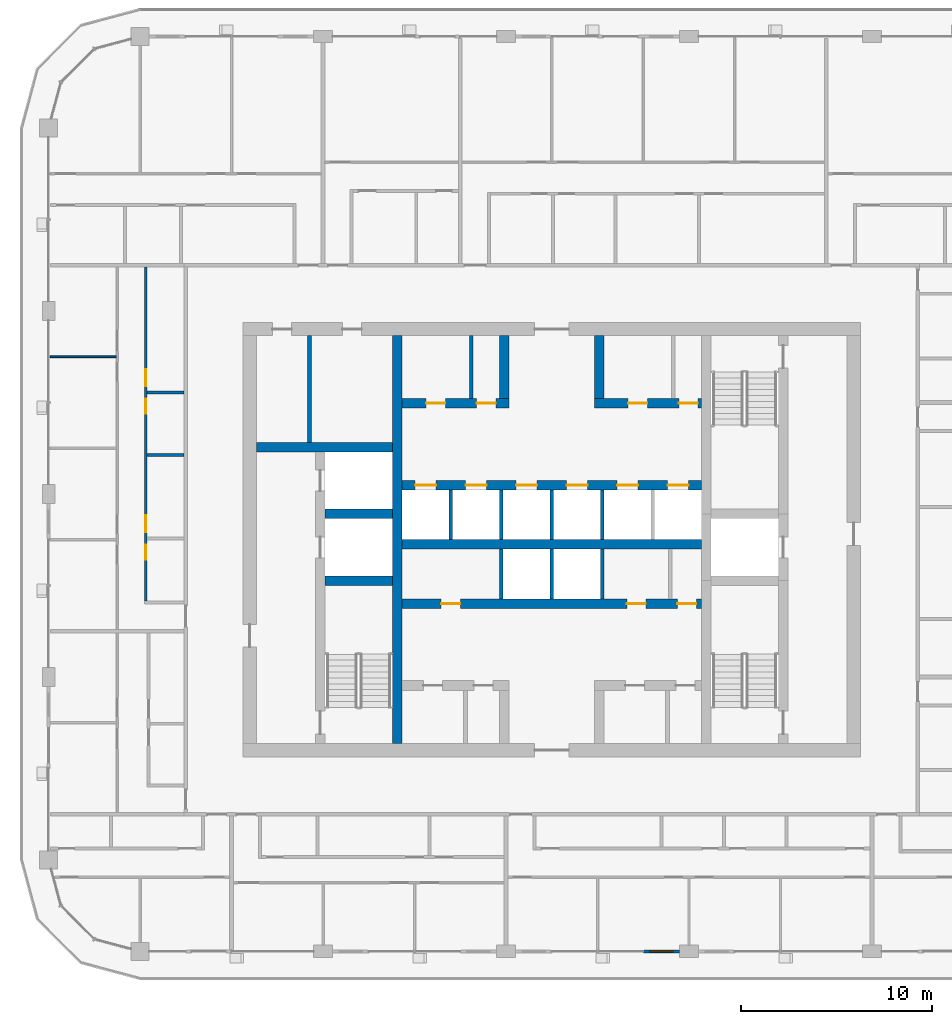
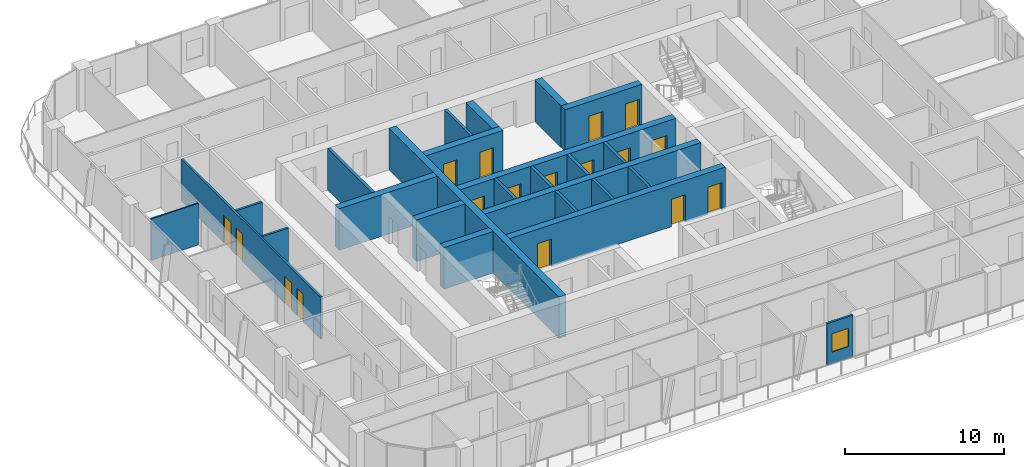
# One storey, part 11 of 23: 25 walls, 17 doors, 1 window, 18 openings.
"""IFC4 building model written with IfcOpenShell, lengths in metres."""

from ifc_helpers import new_model, si_unit, direction, frame, frame_2d, origin, place, context, subcontext, project, spatial, rectangle, extrude, material, layer, layer_set, type_object, element, fill, save


model = new_model("IFC4")

# Units and contexts
model_context = context("Model", 3, precision=1e-05, world=origin(), true_north=direction((0.0, 1.0)))
body_context = subcontext(model_context, "Body", "Model", "MODEL_VIEW")
ifc_project = project(units=[si_unit("LENGTHUNIT", "METRE"), si_unit("AREAUNIT", "SQUARE_METRE"), si_unit("VOLUMEUNIT", "CUBIC_METRE"), si_unit("PLANEANGLEUNIT", "RADIAN"), si_unit("MASSUNIT", "GRAM", prefix="KILO")], contexts=[model_context])

# Site, building, storey
site_placement = place(None, origin())
site = spatial("IfcSite", under=ifc_project, at=site_placement, CompositionType="ELEMENT")
building_placement = place(site_placement, origin())
building = spatial("IfcBuilding", under=site, at=building_placement, Name="Madar Terraces", CompositionType="ELEMENT")
storey_placement = place(building_placement, frame((0.0, 0.0, 226.300048828125)))
storey = spatial("IfcBuildingStorey", under=building, at=storey_placement, Name="L59", CompositionType="ELEMENT", Elevation=226.300048828125)

# Walls
ifc_material_1 = material(Name="Concrete C60/75", Category="concrete")
ifc_layer_1 = layer(ifc_material_1, 0.5)
ifc_layer_set_1 = layer_set([ifc_layer_1], Name="Concrete C60/75 (CIW4 RC wall 500)")
wall_type_1 = type_object("IfcWallType", Name="CIW4 RC wall 500", PredefinedType="SHEAR", material=ifc_layer_set_1)
wall_1_placement = place(storey_placement, frame((23.10009765625, 15.699951171875, 0.0), z_axis=(0.0, 0.0, 1.0), x_axis=(0.0, 1.0, 0.0)))
element("IfcWall", 1, at=wall_1_placement, inside=storey, type_object=wall_type_1, Name="CORE SHAFT WALL", PredefinedType="SHEAR", context=body_context, shape_type="SweptSolid", body=[
    extrude(rectangle(XDim=21.400146484375, YDim=0.5, at=frame_2d((10.7001953125, 0.0))), origin(), (0.0, 0.0, 1.0), 3.199951171875),
])
for number, where, z_axis, x_axis, name in (
    (2, (19.300048828125, 24.25, 0.0), (0.0, 0.0, 1.0), (1.0, 0.0, 0.0), "CORE SHAFT WALL"),
    (3, (19.300048828125, 27.75, 0.0), (0.0, 0.0, 1.0), (1.0, 0.0, 0.0), "CORE SHAFT WALL"),
):
    element("IfcWall", number, at=place(storey_placement, frame(where, z_axis=z_axis, x_axis=x_axis)), inside=storey, type_object=wall_type_1, Name=name, PredefinedType="SHEAR", context=body_context, shape_type="SweptSolid", body=[
        extrude(rectangle(XDim=3.550048828125, YDim=0.5, at=frame_2d((1.77490234375, 0.0))), origin(), (0.0, 0.0, 1.0), 3.199951171875),
    ])
wall_2_placement = place(storey_placement, frame((15.699951171875, 31.25, 0.0), z_axis=(0.0, 0.0, 1.0), x_axis=(1.0, 0.0, 0.0)))
element("IfcWall", 4, at=wall_2_placement, inside=storey, type_object=wall_type_1, Name="CORE SHAFT WALL", PredefinedType="SHEAR", context=body_context, shape_type="SweptSolid", body=[
    extrude(rectangle(XDim=7.150146484375, YDim=0.5, at=frame_2d((3.5751953125, 0.0))), origin(), (0.0, 0.0, 1.0), 3.199951171875),
])

# Wall, openings, doors
wall_3_placement = place(storey_placement, frame((23.35009765625, 23.050048828125, 0.0), z_axis=(0.0, 0.0, 1.0), x_axis=(1.0, 0.0, 0.0)))
wall_3 = element("IfcWall", 5, at=wall_3_placement, inside=storey, type_object=wall_type_1, Name="CORE SHAFT WALL", PredefinedType="SHEAR", context=body_context, shape_type="SweptSolid", body=[
    extrude(rectangle(XDim=15.699951171875, YDim=0.5, at=frame_2d((7.85009765625, 0.0))), origin(), (0.0, 0.0, 1.0), 3.199951171875),
])
opening_1_placement = place(wall_3_placement, frame((2.050048828125, 0.0, 0.0)))
opening_1 = element("IfcOpeningElement", 6, at=opening_1_placement, cuts=wall_3, Name="Opening KD2", PredefinedType="OPENING", context=body_context, shape_type="SweptSolid", body=[
    extrude(rectangle(XDim=1.0, YDim=2.10009765625, at=frame_2d((0.5, 1.050048828125))), frame((0.0, 0.260009765625, 0.0), z_axis=(0.0, -1.0, 0.0), x_axis=(1.0, 0.0, 0.0)), (0.0, 0.0, 1.0), 0.52001953125),
])
opening_2_placement = place(wall_3_placement, frame((11.783935546875, 0.0, 0.0)))
opening_2 = element("IfcOpeningElement", 7, at=opening_2_placement, cuts=wall_3, Name="Opening KD2", PredefinedType="OPENING", context=body_context, shape_type="SweptSolid", body=[
    extrude(rectangle(XDim=1.0, YDim=2.10009765625, at=frame_2d((0.5, 1.050048828125))), frame((0.0, 0.260009765625, 0.0), z_axis=(0.0, -1.0, 0.0), x_axis=(1.0, 0.0, 0.0)), (0.0, 0.0, 1.0), 0.52001953125),
])
opening_3_placement = place(wall_3_placement, frame((14.43408203125, 0.0, 0.0)))
opening_3 = element("IfcOpeningElement", 8, at=opening_3_placement, cuts=wall_3, Name="Opening KD2", PredefinedType="OPENING", context=body_context, shape_type="SweptSolid", body=[
    extrude(rectangle(XDim=1.0, YDim=2.10009765625, at=frame_2d((0.5, 1.050048828125))), frame((0.0, 0.260009765625, 0.0), z_axis=(0.0, -1.0, 0.0), x_axis=(1.0, 0.0, 0.0)), (0.0, 0.0, 1.0), 0.52001953125),
])
ifc_material_2 = material(Name="Steel door leaf", Category="steel")
door_type_1 = type_object("IfcDoorType", Name="Service room door 1000 x 2100", OperationType="NOTDEFINED", PredefinedType="DOOR", material=ifc_material_2)
door_1_placement = place(opening_1_placement, frame((1.0, 0.0, 0.0), z_axis=(0.0, 0.0, 1.0), x_axis=(-1.0, 0.0, 0.0)))
door_1 = element("IfcDoor", 9, at=door_1_placement, inside=storey, type_object=door_type_1, Name="SERVICE ROOM DOOR", OperationType="SINGLE_SWING_RIGHT", OverallHeight=2.10009765625, OverallWidth=1.0, PredefinedType="DOOR", context=body_context, shape_type="SweptSolid", body=[
    extrude(rectangle(XDim=1.0, YDim=2.10009765625, at=frame_2d((0.5, 1.050048828125))), frame((0.0, 0.02490234375, 0.0), z_axis=(0.0, -1.0, 0.0), x_axis=(1.0, 0.0, 0.0)), (0.0, 0.0, 1.0), 0.050048828125),
])
fill(opening_1, door_1)
door_2_placement = place(opening_2_placement, frame((1.0, 0.0, 0.0), z_axis=(0.0, 0.0, 1.0), x_axis=(-1.0, 0.0, 0.0)))
door_2 = element("IfcDoor", 10, at=door_2_placement, inside=storey, type_object=door_type_1, Name="SERVICE ROOM DOOR", OperationType="SINGLE_SWING_LEFT", OverallHeight=2.10009765625, OverallWidth=1.0, PredefinedType="DOOR", context=body_context, shape_type="SweptSolid", body=[
    extrude(rectangle(XDim=1.0, YDim=2.10009765625, at=frame_2d((0.5, 1.050048828125))), frame((0.0, 0.02490234375, 0.0), z_axis=(0.0, -1.0, 0.0), x_axis=(1.0, 0.0, 0.0)), (0.0, 0.0, 1.0), 0.050048828125),
])
fill(opening_2, door_2)
door_3_placement = place(opening_3_placement, frame((1.0, 0.0, 0.0), z_axis=(0.0, 0.0, 1.0), x_axis=(-1.0, 0.0, 0.0)))
door_3 = element("IfcDoor", 11, at=door_3_placement, inside=storey, type_object=door_type_1, Name="SERVICE ROOM DOOR", OperationType="SINGLE_SWING_RIGHT", OverallHeight=2.10009765625, OverallWidth=1.0, PredefinedType="DOOR", context=body_context, shape_type="SweptSolid", body=[
    extrude(rectangle(XDim=1.0, YDim=2.10009765625, at=frame_2d((0.5, 1.050048828125))), frame((0.0, 0.02490234375, 0.0), z_axis=(0.0, -1.0, 0.0), x_axis=(1.0, 0.0, 0.0)), (0.0, 0.0, 1.0), 0.050048828125),
])
fill(opening_3, door_3)

# Wall
wall_4_placement = place(storey_placement, frame((23.35009765625, 26.14990234375, 0.0), z_axis=(0.0, 0.0, 1.0), x_axis=(1.0, 0.0, 0.0)))
element("IfcWall", 12, at=wall_4_placement, inside=storey, type_object=wall_type_1, Name="CORE SHAFT WALL", PredefinedType="SHEAR", context=body_context, shape_type="SweptSolid", body=[
    extrude(rectangle(XDim=15.699951171875, YDim=0.5, at=frame_2d((7.85009765625, 0.0))), origin(), (0.0, 0.0, 1.0), 3.199951171875),
])

# Wall, openings, doors
wall_5_placement = place(storey_placement, frame((23.35009765625, 29.25, 0.0), z_axis=(0.0, 0.0, 1.0), x_axis=(1.0, 0.0, 0.0)))
wall_5 = element("IfcWall", 13, at=wall_5_placement, inside=storey, type_object=wall_type_1, Name="CORE SHAFT WALL", PredefinedType="SHEAR", context=body_context, shape_type="SweptSolid", body=[
    extrude(rectangle(XDim=15.699951171875, YDim=0.5, at=frame_2d((7.85009765625, 0.0))), origin(), (0.0, 0.0, 1.0), 3.199951171875),
])
opening_4_placement = place(wall_5_placement, frame((0.675048828125, 0.0, 0.0)))
opening_4 = element("IfcOpeningElement", 14, at=opening_4_placement, cuts=wall_5, Name="Opening LD", PredefinedType="OPENING", context=body_context, shape_type="SweptSolid", body=[
    extrude(rectangle(XDim=1.10009765625, YDim=2.10009765625, at=frame_2d((0.550048828125, 1.050048828125))), frame((0.0, 0.260009765625, 0.0), z_axis=(0.0, -1.0, 0.0), x_axis=(1.0, 0.0, 0.0)), (0.0, 0.0, 1.0), 0.52001953125),
])
opening_5_placement = place(wall_5_placement, frame((3.324951171875, 0.0, 0.0)))
opening_5 = element("IfcOpeningElement", 15, at=opening_5_placement, cuts=wall_5, Name="Opening LD", PredefinedType="OPENING", context=body_context, shape_type="SweptSolid", body=[
    extrude(rectangle(XDim=1.10009765625, YDim=2.10009765625, at=frame_2d((0.550048828125, 1.050048828125))), frame((0.0, 0.260009765625, 0.0), z_axis=(0.0, -1.0, 0.0), x_axis=(1.0, 0.0, 0.0)), (0.0, 0.0, 1.0), 0.52001953125),
])
opening_6_placement = place(wall_5_placement, frame((5.97509765625, 0.0, 0.0)))
opening_6 = element("IfcOpeningElement", 16, at=opening_6_placement, cuts=wall_5, Name="Opening LD", PredefinedType="OPENING", context=body_context, shape_type="SweptSolid", body=[
    extrude(rectangle(XDim=1.10009765625, YDim=2.10009765625, at=frame_2d((0.550048828125, 1.050048828125))), frame((0.0, 0.260009765625, 0.0), z_axis=(0.0, -1.0, 0.0), x_axis=(1.0, 0.0, 0.0)), (0.0, 0.0, 1.0), 0.52001953125),
])
opening_7_placement = place(wall_5_placement, frame((8.625, 0.0, 0.0)))
opening_7 = element("IfcOpeningElement", 17, at=opening_7_placement, cuts=wall_5, Name="Opening LD", PredefinedType="OPENING", context=body_context, shape_type="SweptSolid", body=[
    extrude(rectangle(XDim=1.10009765625, YDim=2.10009765625, at=frame_2d((0.550048828125, 1.050048828125))), frame((0.0, 0.260009765625, 0.0), z_axis=(0.0, -1.0, 0.0), x_axis=(1.0, 0.0, 0.0)), (0.0, 0.0, 1.0), 0.52001953125),
])
opening_8_placement = place(wall_5_placement, frame((11.27490234375, 0.0, 0.0)))
opening_8 = element("IfcOpeningElement", 18, at=opening_8_placement, cuts=wall_5, Name="Opening LD", PredefinedType="OPENING", context=body_context, shape_type="SweptSolid", body=[
    extrude(rectangle(XDim=1.10009765625, YDim=2.10009765625, at=frame_2d((0.550048828125, 1.050048828125))), frame((0.0, 0.260009765625, 0.0), z_axis=(0.0, -1.0, 0.0), x_axis=(1.0, 0.0, 0.0)), (0.0, 0.0, 1.0), 0.52001953125),
])
opening_9_placement = place(wall_5_placement, frame((13.925048828125, 0.0, 0.0)))
opening_9 = element("IfcOpeningElement", 19, at=opening_9_placement, cuts=wall_5, Name="Opening LD", PredefinedType="OPENING", context=body_context, shape_type="SweptSolid", body=[
    extrude(rectangle(XDim=1.10009765625, YDim=2.10009765625, at=frame_2d((0.550048828125, 1.050048828125))), frame((0.0, 0.260009765625, 0.0), z_axis=(0.0, -1.0, 0.0), x_axis=(1.0, 0.0, 0.0)), (0.0, 0.0, 1.0), 0.52001953125),
])
ifc_material_3 = material(Name="Stainless steel panel", Category="steel")
door_type_2 = type_object("IfcDoorType", Name="Lift landing door 1100 x 2100", OperationType="DOUBLE_DOOR_SLIDING", PredefinedType="DOOR", material=ifc_material_3)
door_4_placement = place(opening_4_placement, origin())
door_4 = element("IfcDoor", 20, at=door_4_placement, inside=storey, type_object=door_type_2, Name="LIFT LANDING DOOR", OperationType="DOUBLE_DOOR_SLIDING", OverallHeight=2.10009765625, OverallWidth=1.10009765625, PredefinedType="DOOR", context=body_context, shape_type="SweptSolid", body=[
    extrude(rectangle(XDim=1.10009765625, YDim=2.10009765625, at=frame_2d((0.550048828125, 1.050048828125))), frame((0.0, 0.02490234375, 0.0), z_axis=(0.0, -1.0, 0.0), x_axis=(1.0, 0.0, 0.0)), (0.0, 0.0, 1.0), 0.050048828125),
])
fill(opening_4, door_4)
door_5_placement = place(opening_5_placement, origin())
door_5 = element("IfcDoor", 21, at=door_5_placement, inside=storey, type_object=door_type_2, Name="LIFT LANDING DOOR", OperationType="DOUBLE_DOOR_SLIDING", OverallHeight=2.10009765625, OverallWidth=1.10009765625, PredefinedType="DOOR", context=body_context, shape_type="SweptSolid", body=[
    extrude(rectangle(XDim=1.10009765625, YDim=2.10009765625, at=frame_2d((0.550048828125, 1.050048828125))), frame((0.0, 0.02490234375, 0.0), z_axis=(0.0, -1.0, 0.0), x_axis=(1.0, 0.0, 0.0)), (0.0, 0.0, 1.0), 0.050048828125),
])
fill(opening_5, door_5)
door_6_placement = place(opening_6_placement, origin())
door_6 = element("IfcDoor", 22, at=door_6_placement, inside=storey, type_object=door_type_2, Name="LIFT LANDING DOOR", OperationType="DOUBLE_DOOR_SLIDING", OverallHeight=2.10009765625, OverallWidth=1.10009765625, PredefinedType="DOOR", context=body_context, shape_type="SweptSolid", body=[
    extrude(rectangle(XDim=1.10009765625, YDim=2.10009765625, at=frame_2d((0.550048828125, 1.050048828125))), frame((0.0, 0.02490234375, 0.0), z_axis=(0.0, -1.0, 0.0), x_axis=(1.0, 0.0, 0.0)), (0.0, 0.0, 1.0), 0.050048828125),
])
fill(opening_6, door_6)
door_7_placement = place(opening_7_placement, origin())
door_7 = element("IfcDoor", 23, at=door_7_placement, inside=storey, type_object=door_type_2, Name="LIFT LANDING DOOR", OperationType="DOUBLE_DOOR_SLIDING", OverallHeight=2.10009765625, OverallWidth=1.10009765625, PredefinedType="DOOR", context=body_context, shape_type="SweptSolid", body=[
    extrude(rectangle(XDim=1.10009765625, YDim=2.10009765625, at=frame_2d((0.550048828125, 1.050048828125))), frame((0.0, 0.02490234375, 0.0), z_axis=(0.0, -1.0, 0.0), x_axis=(1.0, 0.0, 0.0)), (0.0, 0.0, 1.0), 0.050048828125),
])
fill(opening_7, door_7)
door_8_placement = place(opening_8_placement, origin())
door_8 = element("IfcDoor", 24, at=door_8_placement, inside=storey, type_object=door_type_2, Name="LIFT LANDING DOOR", OperationType="DOUBLE_DOOR_SLIDING", OverallHeight=2.10009765625, OverallWidth=1.10009765625, PredefinedType="DOOR", context=body_context, shape_type="SweptSolid", body=[
    extrude(rectangle(XDim=1.10009765625, YDim=2.10009765625, at=frame_2d((0.550048828125, 1.050048828125))), frame((0.0, 0.02490234375, 0.0), z_axis=(0.0, -1.0, 0.0), x_axis=(1.0, 0.0, 0.0)), (0.0, 0.0, 1.0), 0.050048828125),
])
fill(opening_8, door_8)
door_9_placement = place(opening_9_placement, origin())
door_9 = element("IfcDoor", 25, at=door_9_placement, inside=storey, type_object=door_type_2, Name="LIFT LANDING DOOR", OperationType="DOUBLE_DOOR_SLIDING", OverallHeight=2.10009765625, OverallWidth=1.10009765625, PredefinedType="DOOR", context=body_context, shape_type="SweptSolid", body=[
    extrude(rectangle(XDim=1.10009765625, YDim=2.10009765625, at=frame_2d((0.550048828125, 1.050048828125))), frame((0.0, 0.02490234375, 0.0), z_axis=(0.0, -1.0, 0.0), x_axis=(1.0, 0.0, 0.0)), (0.0, 0.0, 1.0), 0.050048828125),
])
fill(opening_9, door_9)

wall_6_placement = place(storey_placement, frame((23.35009765625, 33.550048828125, 0.0), z_axis=(0.0, 0.0, 1.0), x_axis=(1.0, 0.0, 0.0)))
wall_6 = element("IfcWall", 26, at=wall_6_placement, inside=storey, type_object=wall_type_1, Name="CORE SHAFT WALL", PredefinedType="SHEAR", context=body_context, shape_type="SweptSolid", body=[
    extrude(rectangle(XDim=5.599853515625, YDim=0.5, at=frame_2d((2.7998046875, 0.0))), origin(), (0.0, 0.0, 1.0), 3.199951171875),
])
opening_10_placement = place(wall_6_placement, frame((1.260498046875, 0.0, 0.0)))
opening_10 = element("IfcOpeningElement", 27, at=opening_10_placement, cuts=wall_6, Name="Opening KD2", PredefinedType="OPENING", context=body_context, shape_type="SweptSolid", body=[
    extrude(rectangle(XDim=1.0, YDim=2.10009765625, at=frame_2d((0.5, 1.050048828125))), frame((0.0, 0.260009765625, 0.0), z_axis=(0.0, -1.0, 0.0), x_axis=(1.0, 0.0, 0.0)), (0.0, 0.0, 1.0), 0.52001953125),
])
opening_11_placement = place(wall_6_placement, frame((3.910400390625, 0.0, 0.0)))
opening_11 = element("IfcOpeningElement", 28, at=opening_11_placement, cuts=wall_6, Name="Opening KD2", PredefinedType="OPENING", context=body_context, shape_type="SweptSolid", body=[
    extrude(rectangle(XDim=1.0, YDim=2.10009765625, at=frame_2d((0.5, 1.050048828125))), frame((0.0, 0.260009765625, 0.0), z_axis=(0.0, -1.0, 0.0), x_axis=(1.0, 0.0, 0.0)), (0.0, 0.0, 1.0), 0.52001953125),
])
door_10_placement = place(opening_10_placement, frame((1.0, 0.0, 0.0), z_axis=(0.0, 0.0, 1.0), x_axis=(-1.0, 0.0, 0.0)))
door_10 = element("IfcDoor", 29, at=door_10_placement, inside=storey, type_object=door_type_1, Name="SERVICE ROOM DOOR", OperationType="SINGLE_SWING_LEFT", OverallHeight=2.10009765625, OverallWidth=1.0, PredefinedType="DOOR", context=body_context, shape_type="SweptSolid", body=[
    extrude(rectangle(XDim=1.0, YDim=2.10009765625, at=frame_2d((0.5, 1.050048828125))), frame((0.0, 0.02490234375, 0.0), z_axis=(0.0, -1.0, 0.0), x_axis=(1.0, 0.0, 0.0)), (0.0, 0.0, 1.0), 0.050048828125),
])
fill(opening_10, door_10)
door_11_placement = place(opening_11_placement, frame((1.0, 0.0, 0.0), z_axis=(0.0, 0.0, 1.0), x_axis=(-1.0, 0.0, 0.0)))
door_11 = element("IfcDoor", 30, at=door_11_placement, inside=storey, type_object=door_type_1, Name="SERVICE ROOM DOOR", OperationType="SINGLE_SWING_RIGHT", OverallHeight=2.10009765625, OverallWidth=1.0, PredefinedType="DOOR", context=body_context, shape_type="SweptSolid", body=[
    extrude(rectangle(XDim=1.0, YDim=2.10009765625, at=frame_2d((0.5, 1.050048828125))), frame((0.0, 0.02490234375, 0.0), z_axis=(0.0, -1.0, 0.0), x_axis=(1.0, 0.0, 0.0)), (0.0, 0.0, 1.0), 0.050048828125),
])
fill(opening_11, door_11)

wall_7_placement = place(storey_placement, frame((33.449951171875, 33.550048828125, 0.0), z_axis=(0.0, 0.0, 1.0), x_axis=(1.0, 0.0, 0.0)))
wall_7 = element("IfcWall", 31, at=wall_7_placement, inside=storey, type_object=wall_type_1, Name="CORE SHAFT WALL", PredefinedType="SHEAR", context=body_context, shape_type="SweptSolid", body=[
    extrude(rectangle(XDim=5.60009765625, YDim=0.5, at=frame_2d((2.800048828125, 0.0))), origin(), (0.0, 0.0, 1.0), 3.199951171875),
])
opening_12_placement = place(wall_7_placement, frame((1.760498046875, 0.0, 0.0)))
opening_12 = element("IfcOpeningElement", 32, at=opening_12_placement, cuts=wall_7, Name="Opening KD2", PredefinedType="OPENING", context=body_context, shape_type="SweptSolid", body=[
    extrude(rectangle(XDim=1.0, YDim=2.10009765625, at=frame_2d((0.5, 1.050048828125))), frame((0.0, 0.260009765625, 0.0), z_axis=(0.0, -1.0, 0.0), x_axis=(1.0, 0.0, 0.0)), (0.0, 0.0, 1.0), 0.52001953125),
])
opening_13_placement = place(wall_7_placement, frame((4.410400390625, 0.0, 0.0)))
opening_13 = element("IfcOpeningElement", 33, at=opening_13_placement, cuts=wall_7, Name="Opening KD2", PredefinedType="OPENING", context=body_context, shape_type="SweptSolid", body=[
    extrude(rectangle(XDim=1.0, YDim=2.10009765625, at=frame_2d((0.5, 1.050048828125))), frame((0.0, 0.260009765625, 0.0), z_axis=(0.0, -1.0, 0.0), x_axis=(1.0, 0.0, 0.0)), (0.0, 0.0, 1.0), 0.52001953125),
])
door_12_placement = place(opening_12_placement, frame((1.0, 0.0, 0.0), z_axis=(0.0, 0.0, 1.0), x_axis=(-1.0, 0.0, 0.0)))
door_12 = element("IfcDoor", 34, at=door_12_placement, inside=storey, type_object=door_type_1, Name="SERVICE ROOM DOOR", OperationType="SINGLE_SWING_LEFT", OverallHeight=2.10009765625, OverallWidth=1.0, PredefinedType="DOOR", context=body_context, shape_type="SweptSolid", body=[
    extrude(rectangle(XDim=1.0, YDim=2.10009765625, at=frame_2d((0.5, 1.050048828125))), frame((0.0, 0.02490234375, 0.0), z_axis=(0.0, -1.0, 0.0), x_axis=(1.0, 0.0, 0.0)), (0.0, 0.0, 1.0), 0.050048828125),
])
fill(opening_12, door_12)
door_13_placement = place(opening_13_placement, frame((1.0, 0.0, 0.0), z_axis=(0.0, 0.0, 1.0), x_axis=(-1.0, 0.0, 0.0)))
door_13 = element("IfcDoor", 35, at=door_13_placement, inside=storey, type_object=door_type_1, Name="SERVICE ROOM DOOR", OperationType="SINGLE_SWING_RIGHT", OverallHeight=2.10009765625, OverallWidth=1.0, PredefinedType="DOOR", context=body_context, shape_type="SweptSolid", body=[
    extrude(rectangle(XDim=1.0, YDim=2.10009765625, at=frame_2d((0.5, 1.050048828125))), frame((0.0, 0.02490234375, 0.0), z_axis=(0.0, -1.0, 0.0), x_axis=(1.0, 0.0, 0.0)), (0.0, 0.0, 1.0), 0.050048828125),
])
fill(opening_13, door_13)

# Walls
for number, where, z_axis, x_axis, name in (
    (36, (28.699951171875, 33.800048828125, 0.0), (0.0, 0.0, 1.0), (0.0, 1.0, 0.0), "CORE SHAFT WALL"),
    (37, (33.699951171875, 33.800048828125, 0.0), (0.0, 0.0, 1.0), (0.0, 1.0, 0.0), "CORE SHAFT WALL"),
):
    element("IfcWall", number, at=place(storey_placement, frame(where, z_axis=z_axis, x_axis=x_axis)), inside=storey, type_object=wall_type_1, Name=name, PredefinedType="SHEAR", context=body_context, shape_type="SweptSolid", body=[
        extrude(rectangle(XDim=3.300048828125, YDim=0.5, at=frame_2d((1.64990234375, 0.0))), origin(), (0.0, 0.0, 1.0), 3.199951171875),
    ])
ifc_material_4 = material(Name="Masonry blockwork", Category="masonry")
ifc_layer_2 = layer(ifc_material_4, 0.199951171875)
ifc_layer_set_2 = layer_set([ifc_layer_2], Name="Core partition 200 blockwork")
wall_type_2 = type_object("IfcWallType", Name="Core partition 200 blockwork", PredefinedType="PARTITIONING", material=ifc_layer_set_2)
wall_8_placement = place(storey_placement, frame((18.488525390625, 31.5, 0.0), z_axis=(0.0, 0.0, 1.0), x_axis=(0.0, 1.0, 0.0)))
element("IfcWall", 38, at=wall_8_placement, inside=storey, type_object=wall_type_2, Name="SERVICE ROOM PARTITION", PredefinedType="PARTITIONING", context=body_context, shape_type="SweptSolid", body=[
    extrude(rectangle(XDim=5.60009765625, YDim=0.199951171875, at=frame_2d((2.800048828125, 0.0))), origin(), (0.0, 0.0, 1.0), 3.199951171875),
])
wall_9_placement = place(storey_placement, frame((26.970947265625, 33.800048828125, 0.0), z_axis=(0.0, 0.0, 1.0), x_axis=(0.0, 1.0, 0.0)))
element("IfcWall", 39, at=wall_9_placement, inside=storey, type_object=wall_type_2, Name="SERVICE ROOM PARTITION", PredefinedType="PARTITIONING", context=body_context, shape_type="SweptSolid", body=[
    extrude(rectangle(XDim=3.300048828125, YDim=0.199951171875, at=frame_2d((1.64990234375, 0.0))), origin(), (0.0, 0.0, 1.0), 3.199951171875),
])
ifc_material_5 = material(Name="Concrete C40/50", Category="concrete")
ifc_layer_3 = layer(ifc_material_5, 0.199951171875)
ifc_layer_set_3 = layer_set([ifc_layer_3], Name="Core shaft dividing wall 200 C40/50")
wall_type_3 = type_object("IfcWallType", Name="Core shaft dividing wall 200 C40/50", PredefinedType="SOLIDWALL", material=ifc_layer_set_3)
wall_10_placement = place(storey_placement, frame((25.89990234375, 26.39990234375, 0.0), z_axis=(0.0, 0.0, 1.0), x_axis=(0.0, 1.0, 0.0)))
element("IfcWall", 40, at=wall_10_placement, inside=storey, type_object=wall_type_3, Name="SHAFT DIVIDING WALL", PredefinedType="SOLIDWALL", context=body_context, shape_type="SweptSolid", body=[
    extrude(rectangle(XDim=2.60009765625, YDim=0.199951171875, at=frame_2d((1.300048828125, 0.0))), origin(), (0.0, 0.0, 1.0), 3.199951171875),
])
wall_11_placement = place(storey_placement, frame((28.550048828125, 23.300048828125, 0.0), z_axis=(0.0, 0.0, 1.0), x_axis=(0.0, 1.0, 0.0)))
element("IfcWall", 41, at=wall_11_placement, inside=storey, type_object=wall_type_3, Name="SHAFT DIVIDING WALL", PredefinedType="SOLIDWALL", context=body_context, shape_type="SweptSolid", body=[
    extrude(rectangle(XDim=2.599853515625, YDim=0.199951171875, at=frame_2d((1.2998046875, 0.0))), origin(), (0.0, 0.0, 1.0), 3.199951171875),
])
wall_12_placement = place(storey_placement, frame((28.550048828125, 26.39990234375, 0.0), z_axis=(0.0, 0.0, 1.0), x_axis=(0.0, 1.0, 0.0)))
element("IfcWall", 42, at=wall_12_placement, inside=storey, type_object=wall_type_3, Name="SHAFT DIVIDING WALL", PredefinedType="SOLIDWALL", context=body_context, shape_type="SweptSolid", body=[
    extrude(rectangle(XDim=2.60009765625, YDim=0.199951171875, at=frame_2d((1.300048828125, 0.0))), origin(), (0.0, 0.0, 1.0), 3.199951171875),
])
wall_13_placement = place(storey_placement, frame((31.199951171875, 23.300048828125, 0.0), z_axis=(0.0, 0.0, 1.0), x_axis=(0.0, 1.0, 0.0)))
element("IfcWall", 43, at=wall_13_placement, inside=storey, type_object=wall_type_3, Name="SHAFT DIVIDING WALL", PredefinedType="SOLIDWALL", context=body_context, shape_type="SweptSolid", body=[
    extrude(rectangle(XDim=2.599853515625, YDim=0.199951171875, at=frame_2d((1.2998046875, 0.0))), origin(), (0.0, 0.0, 1.0), 3.199951171875),
])
wall_14_placement = place(storey_placement, frame((31.199951171875, 26.39990234375, 0.0), z_axis=(0.0, 0.0, 1.0), x_axis=(0.0, 1.0, 0.0)))
element("IfcWall", 44, at=wall_14_placement, inside=storey, type_object=wall_type_3, Name="SHAFT DIVIDING WALL", PredefinedType="SOLIDWALL", context=body_context, shape_type="SweptSolid", body=[
    extrude(rectangle(XDim=2.60009765625, YDim=0.199951171875, at=frame_2d((1.300048828125, 0.0))), origin(), (0.0, 0.0, 1.0), 3.199951171875),
])
wall_15_placement = place(storey_placement, frame((33.85009765625, 23.300048828125, 0.0), z_axis=(0.0, 0.0, 1.0), x_axis=(0.0, 1.0, 0.0)))
element("IfcWall", 45, at=wall_15_placement, inside=storey, type_object=wall_type_3, Name="SHAFT DIVIDING WALL", PredefinedType="SOLIDWALL", context=body_context, shape_type="SweptSolid", body=[
    extrude(rectangle(XDim=2.599853515625, YDim=0.199951171875, at=frame_2d((1.2998046875, 0.0))), origin(), (0.0, 0.0, 1.0), 3.199951171875),
])
wall_16_placement = place(storey_placement, frame((33.85009765625, 26.39990234375, 0.0), z_axis=(0.0, 0.0, 1.0), x_axis=(0.0, 1.0, 0.0)))
element("IfcWall", 46, at=wall_16_placement, inside=storey, type_object=wall_type_3, Name="SHAFT DIVIDING WALL", PredefinedType="SOLIDWALL", context=body_context, shape_type="SweptSolid", body=[
    extrude(rectangle(XDim=2.60009765625, YDim=0.199951171875, at=frame_2d((1.300048828125, 0.0))), origin(), (0.0, 0.0, 1.0), 3.199951171875),
])

# Wall, opening, window
ifc_material_6 = material(Name="Aluminium composite panel, black, over insulated backing", Category="aluminium")
ifc_layer_4 = layer(ifc_material_6, 0.14990234375)
ifc_layer_set_4 = layer_set([ifc_layer_4], Name="Facade bay panel 150")
wall_type_4 = type_object("IfcWallType", Name="Facade bay panel 150", PredefinedType="SOLIDWALL", material=ifc_layer_set_4)
wall_17_placement = place(storey_placement, frame((36.0, 4.800048828125, 0.0), z_axis=(0.0, 0.0, 1.0), x_axis=(1.0, 0.0, 0.0)))
wall_17 = element("IfcWall", 47, at=wall_17_placement, inside=storey, type_object=wall_type_4, Name="Facade bay panel", PredefinedType="SOLIDWALL", context=body_context, shape_type="SweptSolid", body=[
    extrude(rectangle(XDim=1.89990234375, YDim=0.14990234375, at=frame_2d((0.949951171875, 0.0))), origin(), (0.0, 0.0, 1.0), 3.199951171875),
])
opening_14_placement = place(wall_17_placement, frame((0.35009765625, 0.0, 0.89990234375)))
opening_14 = element("IfcOpeningElement", 48, at=opening_14_placement, cuts=wall_17, Name="Opening W1", PredefinedType="OPENING", context=body_context, shape_type="SweptSolid", body=[
    extrude(rectangle(XDim=1.199951171875, YDim=1.39990234375, at=frame_2d((0.60009765625, 0.699951171875))), frame((0.0, 0.0849609375, 0.0), z_axis=(0.0, -1.0, 0.0), x_axis=(1.0, 0.0, 0.0)), (0.0, 0.0, 1.0), 0.169921875),
])
ifc_material_7 = material(Name="Glass, clear, with black aluminium frame", Category="aluminium")
window_type = type_object("IfcWindowType", Name="Vent window 1200 x 1400", PartitioningType="SINGLE_PANEL", PredefinedType="WINDOW", material=ifc_material_7)
window_placement = place(opening_14_placement, origin())
window = element("IfcWindow", 49, at=window_placement, inside=storey, type_object=window_type, Name="Operable vent window", OverallHeight=1.39990234375, OverallWidth=1.199951171875, PartitioningType="SINGLE_PANEL", PredefinedType="WINDOW", context=body_context, shape_type="SweptSolid", body=[
    extrude(rectangle(XDim=1.199951171875, YDim=1.39990234375, at=frame_2d((0.60009765625, 0.699951171875))), frame((0.0, 0.030029296875, 0.0), z_axis=(0.0, -1.0, 0.0), x_axis=(1.0, 0.0, 0.0)), (0.0, 0.0, 1.0), 0.06005859375),
])
fill(opening_14, window)

# Walls
ifc_material_8 = material(Name="Gypsum board on steel studs", Category="steel")
ifc_layer_5 = layer(ifc_material_8, 0.10009765625)
ifc_layer_set_5 = layer_set([ifc_layer_5], Name="Flat partition 100")
wall_type_5 = type_object("IfcWallType", Name="Flat partition 100", PredefinedType="PARTITIONING", material=ifc_layer_set_5)
wall_18_placement = place(storey_placement, frame((8.35009765625, 36.0, 0.0), z_axis=(0.0, 0.0, 1.0), x_axis=(-1.0, 0.0, 0.0)))
element("IfcWall", 50, at=wall_18_placement, inside=storey, type_object=wall_type_5, Name="Flat partition 100", PredefinedType="PARTITIONING", context=body_context, shape_type="SweptSolid", body=[
    extrude(rectangle(XDim=3.4501953125, YDim=0.10009765625, at=frame_2d((1.72509765625, 0.0))), origin(), (0.0, 0.0, 1.0), 3.199951171875),
])
ifc_material_9 = material(Name="Lightweight blockwork", Category="masonry")
ifc_layer_6 = layer(ifc_material_9, 0.14990234375)
ifc_layer_set_6 = layer_set([ifc_layer_6], Name="Flat wet-room partition 150")
wall_type_6 = type_object("IfcWallType", Name="Flat wet-room partition 150", PredefinedType="PARTITIONING", material=ifc_layer_set_6)
for number, where, z_axis, x_axis, name in (
    (51, (11.89990234375, 30.842041015625, 0.0), (0.0, 0.0, 1.0), (-1.0, 0.0, 0.0), "Flat wet-room partition 150"),
    (52, (11.89990234375, 34.1279296875, 0.0), (0.0, 0.0, 1.0), (-1.0, 0.0, 0.0), "Flat wet-room partition 150"),
):
    element("IfcWall", number, at=place(storey_placement, frame(where, z_axis=z_axis, x_axis=x_axis)), inside=storey, type_object=wall_type_6, Name=name, PredefinedType="PARTITIONING", context=body_context, shape_type="SweptSolid", body=[
        extrude(rectangle(XDim=1.9248046875, YDim=0.14990234375, at=frame_2d((0.96240234375, 0.0))), origin(), (0.0, 0.0, 1.0), 3.199951171875),
    ])

# Wall, openings, doors
wall_19_placement = place(storey_placement, frame((9.89990234375, 40.699951171875, 0.0), z_axis=(0.0, 0.0, 1.0), x_axis=(0.0, -1.0, 0.0)))
wall_19 = element("IfcWall", 53, at=wall_19_placement, inside=storey, type_object=wall_type_6, Name="Flat wet-room partition 150", PredefinedType="PARTITIONING", context=body_context, shape_type="SweptSolid", body=[
    extrude(rectangle(XDim=17.52490234375, YDim=0.14990234375, at=frame_2d((8.762451171875, 0.0))), origin(), (0.0, 0.0, 1.0), 3.199951171875),
])
opening_15_placement = place(wall_19_placement, frame((14.564208984375, 0.0, 0.0)))
opening_15 = element("IfcOpeningElement", 54, at=opening_15_placement, cuts=wall_19, Name="Opening D7", PredefinedType="OPENING", context=body_context, shape_type="SweptSolid", body=[
    extrude(rectangle(XDim=0.800048828125, YDim=2.10009765625, at=frame_2d((0.39990234375, 1.050048828125))), frame((0.0, 0.0849609375, 0.0), z_axis=(0.0, -1.0, 0.0), x_axis=(1.0, 0.0, 0.0)), (0.0, 0.0, 1.0), 0.169921875),
])
opening_16_placement = place(wall_19_placement, frame((13.01416015625, 0.0, 0.0)))
opening_16 = element("IfcOpeningElement", 55, at=opening_16_placement, cuts=wall_19, Name="Opening D5", PredefinedType="OPENING", context=body_context, shape_type="SweptSolid", body=[
    extrude(rectangle(XDim=0.89990234375, YDim=2.10009765625, at=frame_2d((0.449951171875, 1.050048828125))), frame((0.0, 0.0849609375, 0.0), z_axis=(0.0, -1.0, 0.0), x_axis=(1.0, 0.0, 0.0)), (0.0, 0.0, 1.0), 0.169921875),
])
opening_17_placement = place(wall_19_placement, frame((6.89697265625, 0.0, 0.0)))
opening_17 = element("IfcOpeningElement", 56, at=opening_17_placement, cuts=wall_19, Name="Opening D4", PredefinedType="OPENING", context=body_context, shape_type="SweptSolid", body=[
    extrude(rectangle(XDim=0.800048828125, YDim=2.10009765625, at=frame_2d((0.39990234375, 1.050048828125))), frame((0.0, 0.0849609375, 0.0), z_axis=(0.0, -1.0, 0.0), x_axis=(1.0, 0.0, 0.0)), (0.0, 0.0, 1.0), 0.169921875),
])
opening_18_placement = place(wall_19_placement, frame((5.346923828125, 0.0, 0.0)))
opening_18 = element("IfcOpeningElement", 57, at=opening_18_placement, cuts=wall_19, Name="Opening D2", PredefinedType="OPENING", context=body_context, shape_type="SweptSolid", body=[
    extrude(rectangle(XDim=0.89990234375, YDim=2.10009765625, at=frame_2d((0.449951171875, 1.050048828125))), frame((0.0, 0.0849609375, 0.0), z_axis=(0.0, -1.0, 0.0), x_axis=(1.0, 0.0, 0.0)), (0.0, 0.0, 1.0), 0.169921875),
])
ifc_material_10 = material(Name="Timber door leaf", Category="wood")
door_type_3 = type_object("IfcDoorType", Name="Flat accessible bathroom door 900", OperationType="NOTDEFINED", PredefinedType="DOOR", material=ifc_material_10)
door_14_placement = place(opening_16_placement, origin())
door_14 = element("IfcDoor", 58, at=door_14_placement, inside=storey, type_object=door_type_3, Name="Flat accessible bathroom door 900", OperationType="SINGLE_SWING_RIGHT", OverallHeight=2.10009765625, OverallWidth=0.89990234375, PredefinedType="DOOR", context=body_context, shape_type="SweptSolid", body=[
    extrude(rectangle(XDim=0.89990234375, YDim=2.10009765625, at=frame_2d((0.449951171875, 1.050048828125))), frame((0.0, 0.02490234375, 0.0), z_axis=(0.0, -1.0, 0.0), x_axis=(1.0, 0.0, 0.0)), (0.0, 0.0, 1.0), 0.050048828125),
])
fill(opening_16, door_14)
ifc_material_11 = material(Name="Timber door leaf", Category="wood")
door_type_4 = type_object("IfcDoorType", Name="Flat bathroom door 800", OperationType="NOTDEFINED", PredefinedType="DOOR", material=ifc_material_11)
door_15_placement = place(opening_17_placement, origin())
door_15 = element("IfcDoor", 59, at=door_15_placement, inside=storey, type_object=door_type_4, Name="Flat bathroom door 800", OperationType="SINGLE_SWING_LEFT", OverallHeight=2.10009765625, OverallWidth=0.800048828125, PredefinedType="DOOR", context=body_context, shape_type="SweptSolid", body=[
    extrude(rectangle(XDim=0.800048828125, YDim=2.10009765625, at=frame_2d((0.39990234375, 1.050048828125))), frame((0.0, 0.02490234375, 0.0), z_axis=(0.0, -1.0, 0.0), x_axis=(1.0, 0.0, 0.0)), (0.0, 0.0, 1.0), 0.050048828125),
])
fill(opening_17, door_15)
ifc_material_12 = material(Name="Timber door leaf", Category="wood")
door_type_5 = type_object("IfcDoorType", Name="Flat room door 900", OperationType="NOTDEFINED", PredefinedType="DOOR", material=ifc_material_12)
door_16_placement = place(opening_18_placement, origin())
door_16 = element("IfcDoor", 60, at=door_16_placement, inside=storey, type_object=door_type_5, Name="Flat room door 900", OperationType="SINGLE_SWING_RIGHT", OverallHeight=2.10009765625, OverallWidth=0.89990234375, PredefinedType="DOOR", context=body_context, shape_type="SweptSolid", body=[
    extrude(rectangle(XDim=0.89990234375, YDim=2.10009765625, at=frame_2d((0.449951171875, 1.050048828125))), frame((0.0, 0.02490234375, 0.0), z_axis=(0.0, -1.0, 0.0), x_axis=(1.0, 0.0, 0.0)), (0.0, 0.0, 1.0), 0.050048828125),
])
fill(opening_18, door_16)
ifc_material_13 = material(Name="Timber door leaf", Category="wood")
door_type_6 = type_object("IfcDoorType", Name="Flat utility door 800", OperationType="NOTDEFINED", PredefinedType="DOOR", material=ifc_material_13)
door_17_placement = place(opening_15_placement, origin())
door_17 = element("IfcDoor", 61, at=door_17_placement, inside=storey, type_object=door_type_6, Name="Flat utility door 800", OperationType="SINGLE_SWING_LEFT", OverallHeight=2.10009765625, OverallWidth=0.800048828125, PredefinedType="DOOR", context=body_context, shape_type="SweptSolid", body=[
    extrude(rectangle(XDim=0.800048828125, YDim=2.10009765625, at=frame_2d((0.39990234375, 1.050048828125))), frame((0.0, 0.02490234375, 0.0), z_axis=(0.0, -1.0, 0.0), x_axis=(1.0, 0.0, 0.0)), (0.0, 0.0, 1.0), 0.050048828125),
])
fill(opening_15, door_17)

save(model, "model.ifc")
